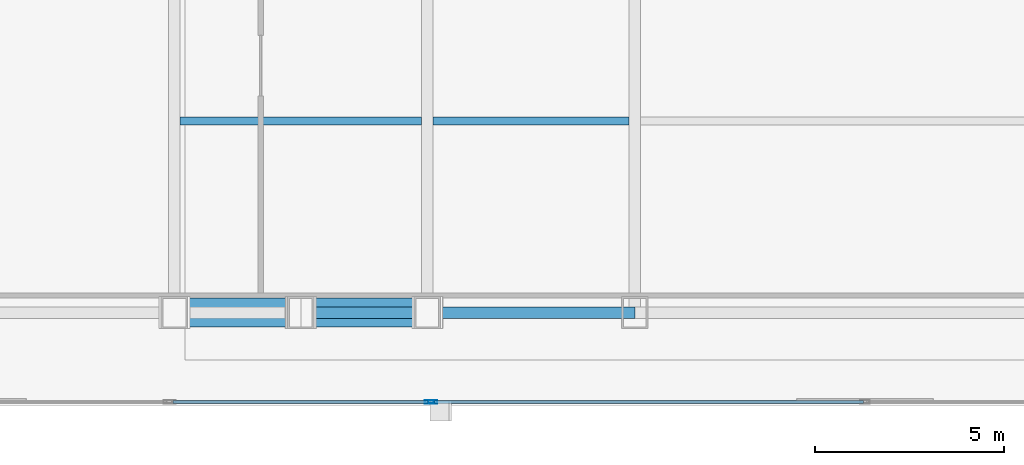
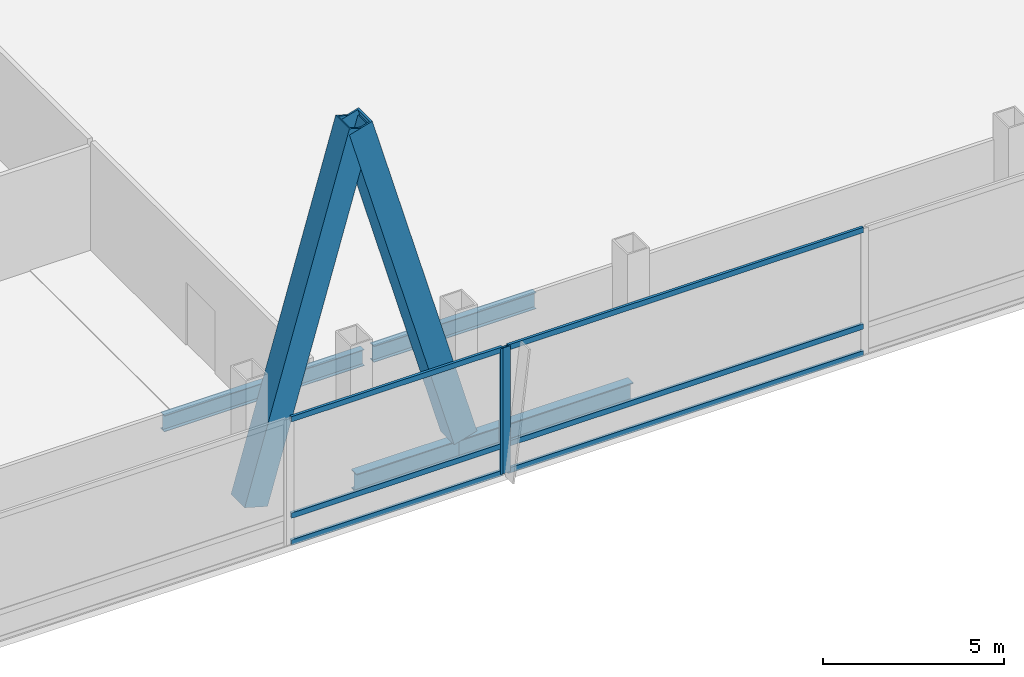
# One storey, part 8 of 32: 10 members, 4 beams, 2 elements without a shape of their own.
"""IFC4 building model written with IfcOpenShell, lengths in metres."""

from ifc_helpers import new_model, si_unit, direction, frame, origin, origin_2d, place, context, subcontext, project, spatial, hollow_rectangle, i_section, extrude, material, material_profile, profile_set, type_object, element, aggregate, save


model = new_model("IFC4")

# Units and contexts
model_context = context("Model", 3, precision=1e-05, world=origin(), true_north=direction((0.0, 1.0)))
body_context = subcontext(model_context, "Body", "Model", "MODEL_VIEW")
ifc_project = project(units=[si_unit("LENGTHUNIT", "METRE"), si_unit("AREAUNIT", "SQUARE_METRE"), si_unit("VOLUMEUNIT", "CUBIC_METRE"), si_unit("PLANEANGLEUNIT", "RADIAN"), si_unit("MASSUNIT", "GRAM", prefix="KILO")], contexts=[model_context])

# Site, building, storey
site_placement = place(None, origin())
site = spatial("IfcSite", under=ifc_project, at=site_placement, CompositionType="ELEMENT")
building_placement = place(site_placement, origin())
building = spatial("IfcBuilding", under=site, at=building_placement, Name="Khoronbel Lancet Exchange", CompositionType="ELEMENT")
storey_placement = place(building_placement, frame((0.0, 0.0, 106.60009765625)))
storey = spatial("IfcBuildingStorey", under=building, at=storey_placement, Name="L25", CompositionType="ELEMENT", Elevation=106.60009765625)

# Beams
ifc_material_1 = material(Name="Steel S355", Category="steel")
ifc_material_profile_1 = material_profile(ifc_material_1, i_section(OverallWidth=0.2099609375, OverallDepth=0.550048828125, WebThickness=0.010986328125, FlangeThickness=0.01708984375, at=origin_2d()), Name="IPE 550")
ifc_profile_set_1 = profile_set([ifc_material_profile_1], Name="Steel S355")
beam_type_1 = type_object("IfcBeamType", Name="BM-BJ2", PredefinedType="JOIST", material=ifc_profile_set_1)
beam_1_placement = place(storey_placement, frame((18.375, 15.199951171875, -0.47509765625), z_axis=(1.0, 0.0, 0.0), x_axis=(0.0, 1.0, 0.0)))
element("IfcBeam", 1, at=beam_1_placement, inside=storey, type_object=beam_type_1, Name="Level L25 secondary composite joist J01", PredefinedType="JOIST", context=body_context, shape_type="SweptSolid", body=[
    extrude(i_section(OverallWidth=0.2099609375, OverallDepth=0.550048828125, WebThickness=0.010986328125, FlangeThickness=0.01708984375, at=origin_2d()), origin(), (0.0, 0.0, 1.0), 6.375),
])
beam_2_placement = place(storey_placement, frame((25.050048828125, 15.199951171875, -0.47509765625), z_axis=(1.0, 0.0, 0.0), x_axis=(0.0, 1.0, 0.0)))
element("IfcBeam", 2, at=beam_2_placement, inside=storey, type_object=beam_type_1, Name="Level L25 secondary composite joist J02", PredefinedType="JOIST", context=body_context, shape_type="SweptSolid", body=[
    extrude(i_section(OverallWidth=0.2099609375, OverallDepth=0.550048828125, WebThickness=0.010986328125, FlangeThickness=0.01708984375, at=origin_2d()), origin(), (0.0, 0.0, 1.0), 5.175048828125),
])
ifc_material_profile_2 = material_profile(ifc_material_1, i_section(OverallWidth=0.300048828125, OverallDepth=0.64990234375, WebThickness=0.01611328125, FlangeThickness=0.031005859375, at=origin_2d()), Name="HEB 650")
ifc_profile_set_2 = profile_set([ifc_material_profile_2], Name="Steel S355")
beam_type_2 = type_object("IfcBeamType", Name="BM-BSP1", PredefinedType="SPANDREL", material=ifc_profile_set_2)
beam_3_placement = place(storey_placement, frame((21.5625, 10.14990234375, -0.525146484375), z_axis=(1.0, 0.0, 0.0), x_axis=(0.0, 1.0, 0.0)))
element("IfcBeam", 3, at=beam_3_placement, inside=storey, type_object=beam_type_2, Name="Level L25 perimeter spandrel beam SP03", PredefinedType="SPANDREL", context=body_context, shape_type="SweptSolid", body=[
    extrude(i_section(OverallWidth=0.300048828125, OverallDepth=0.64990234375, WebThickness=0.01611328125, FlangeThickness=0.031005859375, at=origin_2d()), origin(), (0.0, 0.0, 1.0), 3.33740234375),
])
beam_4_placement = place(storey_placement, frame((24.89990234375, 10.14990234375, -0.525146484375), z_axis=(1.0, 0.0, 0.0), x_axis=(0.0, 1.0, 0.0)))
element("IfcBeam", 4, at=beam_4_placement, inside=storey, type_object=beam_type_2, Name="Level L25 perimeter spandrel beam SP04", PredefinedType="SPANDREL", context=body_context, shape_type="SweptSolid", body=[
    extrude(i_section(OverallWidth=0.300048828125, OverallDepth=0.64990234375, WebThickness=0.01611328125, FlangeThickness=0.031005859375, at=origin_2d()), origin(), (0.0, 0.0, 1.0), 5.47509765625),
])

# Curtain wall, member
ifc_material_2 = material(Name="Low-E Solar Control Insulating Glass", Category="glass")
curtain_wall_type = type_object("IfcCurtainWallType", Name="CW-2", PredefinedType="NOTDEFINED", material=ifc_material_2)
curtain_wall_1_placement = place(storey_placement, origin())
curtain_wall_1 = element("IfcCurtainWall", 5, at=curtain_wall_1_placement, inside=storey, type_object=curtain_wall_type, Name="Unitised curtain wall CW-L25-SWB", PredefinedType="NOTDEFINED")
ifc_material_3 = material(Name="Bronze-Anodised Aluminium 6063-T6", Category="aluminium")
ifc_material_profile_3 = material_profile(ifc_material_3, hollow_rectangle(XDim=0.0849609375, YDim=0.239990234375, WallThickness=0.006103515625, at=origin_2d()), Name="ALU MULLION 85x240")
ifc_profile_set_3 = profile_set([ifc_material_profile_3], Name="Bronze-Anodised Aluminium 6063-T6")
member_type_1 = type_object("IfcMemberType", Name="MEM-CWM1", PredefinedType="MULLION", material=ifc_profile_set_3)
member_1_placement = place(storey_placement, frame((24.95751953125, 7.7900390625, 0.0), z_axis=(0.0, 0.0, 1.0), x_axis=(0.0, 1.0, 0.0)))
member_1 = element("IfcMember", 6, at=member_1_placement, type_object=member_type_1, Name="CW2 mullion 2", PredefinedType="MULLION", context=body_context, shape_type="SweptSolid", body=[
    extrude(hollow_rectangle(XDim=0.0849609375, YDim=0.239990234375, WallThickness=0.006103515625, at=origin_2d()), origin(), (0.0, 0.0, 1.0), 4.239990234375),
])

curtain_wall_2_placement = place(storey_placement, origin())
curtain_wall_2 = element("IfcCurtainWall", 7, at=curtain_wall_2_placement, inside=storey, type_object=curtain_wall_type, Name="Unitised curtain wall CW-L25-SCV", PredefinedType="NOTDEFINED")
member_2_placement = place(storey_placement, frame((25.04248046875, 7.7900390625, 0.0), z_axis=(0.0, 0.0, 1.0), x_axis=(0.0, 1.0, 0.0)))
member_2 = element("IfcMember", 8, at=member_2_placement, type_object=member_type_1, Name="CW2 mullion 1", PredefinedType="MULLION", context=body_context, shape_type="SweptSolid", body=[
    extrude(hollow_rectangle(XDim=0.0849609375, YDim=0.239990234375, WallThickness=0.006103515625, at=origin_2d()), origin(), (0.0, 0.0, 1.0), 4.239990234375),
])

# Member
ifc_material_profile_4 = material_profile(ifc_material_3, hollow_rectangle(XDim=0.0849609375, YDim=0.179931640625, WallThickness=0.0048828125, at=origin_2d()), Name="ALU TRANSOM 85x180")
ifc_profile_set_4 = profile_set([ifc_material_profile_4], Name="Bronze-Anodised Aluminium 6063-T6")
member_type_2 = type_object("IfcMemberType", Name="MEM-CWT1", PredefinedType="USERDEFINED", material=ifc_profile_set_4)
member_3_placement = place(storey_placement, frame((18.18505859375, 7.7900390625, 0.04248046875), z_axis=(1.0, 0.0, 0.0), x_axis=(0.0, 1.0, 0.0)))
member_3 = element("IfcMember", 9, at=member_3_placement, type_object=member_type_2, Name="CW2 transom 1.1", ObjectType="TRANSOM", PredefinedType="USERDEFINED", context=body_context, shape_type="SweptSolid", body=[
    extrude(hollow_rectangle(XDim=0.0849609375, YDim=0.179931640625, WallThickness=0.0048828125, at=origin_2d()), origin(), (0.0, 0.0, 1.0), 6.72998046875),
])

member_4_placement = place(storey_placement, frame((18.18505859375, 7.7900390625, 0.949951171875), z_axis=(1.0, 0.0, 0.0), x_axis=(0.0, 1.0, 0.0)))
member_4 = element("IfcMember", 10, at=member_4_placement, type_object=member_type_2, Name="CW2 transom 1.2", ObjectType="TRANSOM", PredefinedType="USERDEFINED", context=body_context, shape_type="SweptSolid", body=[
    extrude(hollow_rectangle(XDim=0.0849609375, YDim=0.179931640625, WallThickness=0.0048828125, at=origin_2d()), origin(), (0.0, 0.0, 1.0), 6.72998046875),
])

member_5_placement = place(storey_placement, frame((18.18505859375, 7.7900390625, 4.197509765625), z_axis=(1.0, 0.0, 0.0), x_axis=(0.0, 1.0, 0.0)))
member_5 = element("IfcMember", 11, at=member_5_placement, type_object=member_type_2, Name="CW2 transom 1.3", ObjectType="TRANSOM", PredefinedType="USERDEFINED", context=body_context, shape_type="SweptSolid", body=[
    extrude(hollow_rectangle(XDim=0.0849609375, YDim=0.179931640625, WallThickness=0.0048828125, at=origin_2d()), origin(), (0.0, 0.0, 1.0), 6.72998046875),
])

aggregate(curtain_wall_1, [member_1, member_3, member_4, member_5])

member_6_placement = place(storey_placement, frame((25.0849609375, 7.7900390625, 0.04248046875), z_axis=(1.0, 0.0, 0.0), x_axis=(0.0, 1.0, 0.0)))
member_6 = element("IfcMember", 12, at=member_6_placement, type_object=member_type_2, Name="CW2 transom 1.1", ObjectType="TRANSOM", PredefinedType="USERDEFINED", context=body_context, shape_type="SweptSolid", body=[
    extrude(hollow_rectangle(XDim=0.0849609375, YDim=0.179931640625, WallThickness=0.0048828125, at=origin_2d()), origin(), (0.0, 0.0, 1.0), 11.322509765625),
])

member_7_placement = place(storey_placement, frame((25.0849609375, 7.7900390625, 0.949951171875), z_axis=(1.0, 0.0, 0.0), x_axis=(0.0, 1.0, 0.0)))
member_7 = element("IfcMember", 13, at=member_7_placement, type_object=member_type_2, Name="CW2 transom 1.2", ObjectType="TRANSOM", PredefinedType="USERDEFINED", context=body_context, shape_type="SweptSolid", body=[
    extrude(hollow_rectangle(XDim=0.0849609375, YDim=0.179931640625, WallThickness=0.0048828125, at=origin_2d()), origin(), (0.0, 0.0, 1.0), 11.322509765625),
])

member_8_placement = place(storey_placement, frame((25.0849609375, 7.7900390625, 4.197509765625), z_axis=(1.0, 0.0, 0.0), x_axis=(0.0, 1.0, 0.0)))
member_8 = element("IfcMember", 14, at=member_8_placement, type_object=member_type_2, Name="CW2 transom 1.3", ObjectType="TRANSOM", PredefinedType="USERDEFINED", context=body_context, shape_type="SweptSolid", body=[
    extrude(hollow_rectangle(XDim=0.0849609375, YDim=0.179931640625, WallThickness=0.0048828125, at=origin_2d()), origin(), (0.0, 0.0, 1.0), 11.322509765625),
])

aggregate(curtain_wall_2, [member_2, member_6, member_7, member_8])

# Members
ifc_material_4 = material(Name="Steel S460", Category="steel")
ifc_material_profile_5 = material_profile(ifc_material_4, hollow_rectangle(XDim=0.760009765625, YDim=0.760009765625, WallThickness=0.054931640625, at=origin_2d()), Name="BOX 760x760x55")
ifc_profile_set_5 = profile_set([ifc_material_profile_5], Name="Steel S460")
member_type_3 = type_object("IfcMemberType", Name="MEM-MB1", PredefinedType="BRACE", material=ifc_profile_set_5)
for number, where, z_axis, x_axis, name in (
    (15, (18.22509765625, 10.14990234375, 0.0), (0.276494474889, 0.0, 0.961015507344), (0.0, 1.0, 0.0), "Perimeter lancet brace tier 8 S-W-L"),
    (16, (24.89990234375, 10.14990234375, 0.0), (-0.276494474889, 0.0, 0.961015507344), (0.0, -1.0, 0.0), "Perimeter lancet brace tier 8 S-W-R"),
):
    element("IfcMember", number, at=place(storey_placement, frame(where, z_axis=z_axis, x_axis=x_axis)), inside=storey, type_object=member_type_3, Name=name, PredefinedType="BRACE", context=body_context, shape_type="SweptSolid", body=[
        extrude(hollow_rectangle(XDim=0.760009765625, YDim=0.760009765625, WallThickness=0.054931640625, at=origin_2d()), origin(), (0.0, 0.0, 1.0), 12.0703125),
    ])

save(model, "model.ifc")
